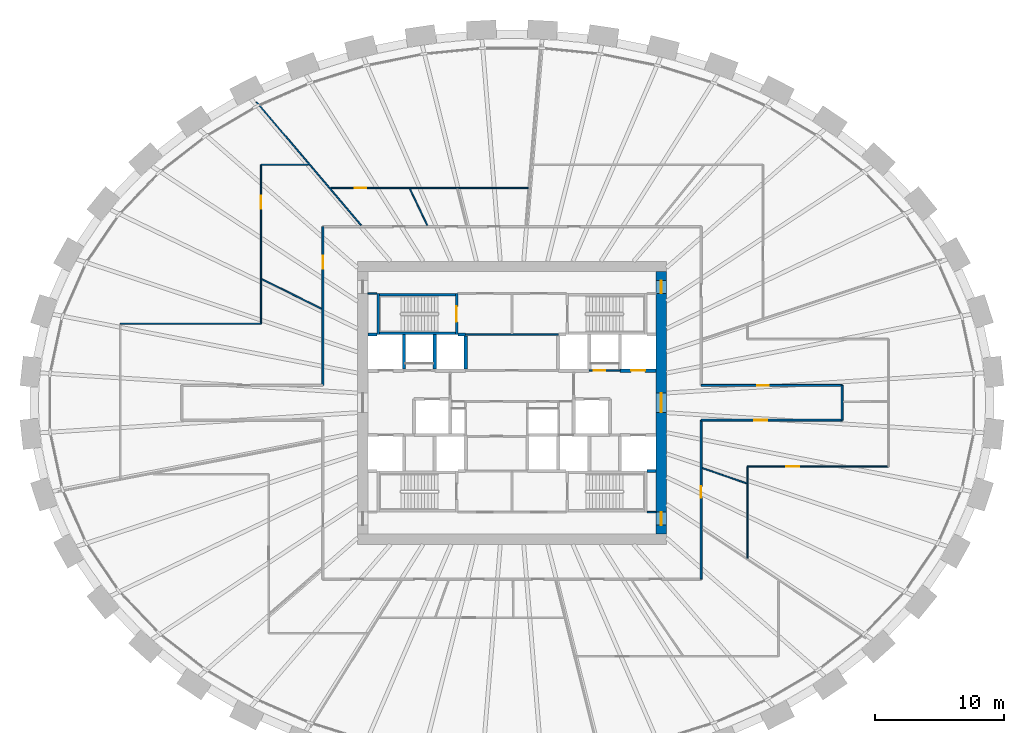
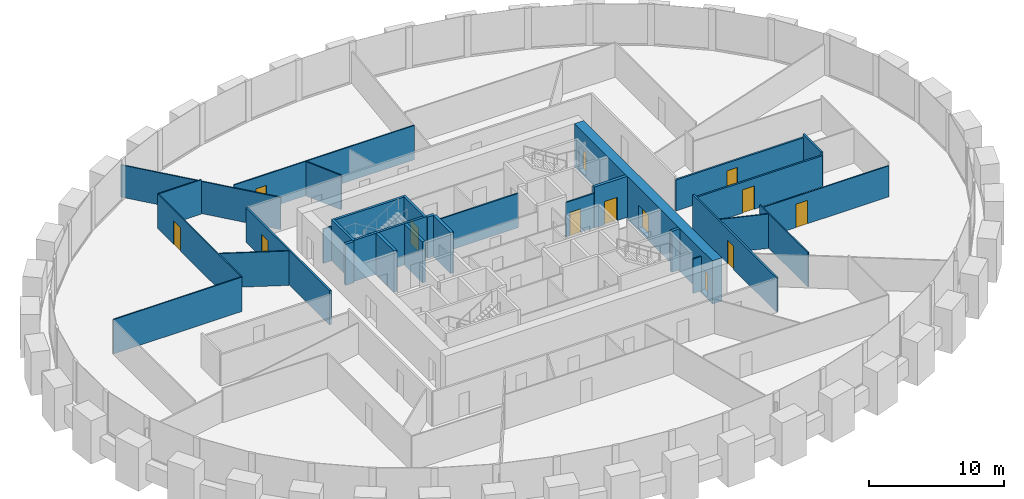
# One storey, part 8 of 10: 31 walls, 13 doors, 13 openings.
"""IFC4 building model written with IfcOpenShell, lengths in metres."""

from ifc_helpers import new_model, si_unit, direction, frame, frame_2d, origin, place, context, subcontext, project, spatial, rectangle, extrude, source, transform, mapped, material, layer, layer_set, type_object, element, fill, save


model = new_model("IFC4")

# Units and contexts
model_context = context("Model", 3, precision=1e-05, world=origin(), true_north=direction((0.0, 1.0)))
body_context = subcontext(model_context, "Body", "Model", "MODEL_VIEW")
ifc_project = project(units=[si_unit("LENGTHUNIT", "METRE"), si_unit("AREAUNIT", "SQUARE_METRE"), si_unit("VOLUMEUNIT", "CUBIC_METRE"), si_unit("PLANEANGLEUNIT", "RADIAN"), si_unit("MASSUNIT", "GRAM", prefix="KILO")], contexts=[model_context])

# Site, building, storey
site_placement = place(None, origin())
site = spatial("IfcSite", under=ifc_project, at=site_placement, CompositionType="ELEMENT")
building_placement = place(site_placement, origin())
building = spatial("IfcBuilding", under=site, at=building_placement, Name="Embergate Tower", CompositionType="ELEMENT")
storey_placement = place(building_placement, frame((0.0, 0.0, 171.60009765625)))
storey = spatial("IfcBuildingStorey", under=building, at=storey_placement, Name="L38", CompositionType="ELEMENT", Elevation=171.60009765625)

# Wall, openings, doors
ifc_material_1 = material(Name="Concrete C70", Category="concrete")
ifc_layer_1 = layer(ifc_material_1, 0.800048828125)
ifc_layer_set_1 = layer_set([ifc_layer_1], Name="Concrete C70")
wall_type_1 = type_object("IfcWallType", Name="Core outer wall C70 800", PredefinedType="SHEAR", material=ifc_layer_set_1)
shared_shape_1 = source(origin(), body_context, "Body", "SweptSolid", [
    extrude(rectangle(XDim=20.39990234375, YDim=0.800048828125, at=frame_2d((10.199951171875, 0.0))), origin(), (0.0, 0.0, 1.0), 3.900146484375),
])
wall_1_placement = place(storey_placement, frame((11.60009765625, -10.199951171875, -0.2001953125), z_axis=(0.0, 0.0, 1.0), x_axis=(0.0, 1.0, 0.0)))
wall_1 = element("IfcWall", 1, at=wall_1_placement, inside=storey, type_object=wall_type_1, Name="CW-L38-E", PredefinedType="SHEAR", context=body_context, shape_type="MappedRepresentation", body=[
    mapped(shared_shape_1, transform((0.0, 0.0, 0.0))),
])
shared_shape_2 = source(origin(), body_context, "Body", "SweptSolid", [
    extrude(rectangle(XDim=1.0, YDim=2.10009765625, at=frame_2d((0.5, 1.050048828125))), frame((0.0, 0.409912109375, 0.0), z_axis=(0.0, -1.0, 0.0), x_axis=(1.0, 0.0, 0.0)), (0.0, 0.0, 1.0), 0.820068359375),
])
opening_1_placement = place(wall_1_placement, frame((18.699951171875, 0.0, 0.199951171875)))
opening_1 = element("IfcOpeningElement", 2, at=opening_1_placement, cuts=wall_1, Name="Opening IF-1d", PredefinedType="OPENING", context=body_context, shape_type="MappedRepresentation", body=[
    mapped(shared_shape_2, transform((0.0, 0.0, 0.0))),
])
opening_2_placement = place(wall_1_placement, frame((0.699951171875, 0.0, 0.199951171875)))
opening_2 = element("IfcOpeningElement", 3, at=opening_2_placement, cuts=wall_1, Name="Opening IF-1d", PredefinedType="OPENING", context=body_context, shape_type="MappedRepresentation", body=[
    mapped(shared_shape_2, transform((0.0, 0.0, 0.0))),
])
shared_shape_3 = source(origin(), body_context, "Body", "SweptSolid", [
    extrude(rectangle(XDim=1.5, YDim=2.10009765625, at=frame_2d((0.75, 1.050048828125))), frame((0.0, 0.409912109375, 0.0), z_axis=(0.0, -1.0, 0.0), x_axis=(1.0, 0.0, 0.0)), (0.0, 0.0, 1.0), 0.820068359375),
])
opening_3_placement = place(wall_1_placement, frame((9.449951171875, 0.0, 0.199951171875)))
opening_3 = element("IfcOpeningElement", 4, at=opening_3_placement, cuts=wall_1, Name="Opening IF-3", PredefinedType="OPENING", context=body_context, shape_type="MappedRepresentation", body=[
    mapped(shared_shape_3, transform((0.0, 0.0, 0.0))),
])
ifc_material_2 = material(Name="Lobby fire door pair 1500")
door_type_1 = type_object("IfcDoorType", Name="Lobby fire door pair 1500", OperationType="DOUBLE_DOOR_SINGLE_SWING", PredefinedType="DOOR", material=ifc_material_2)
shared_shape_4 = source(origin(), body_context, "Body", "SweptSolid", [
    extrude(rectangle(XDim=1.5, YDim=2.10009765625, at=frame_2d((0.75, 1.050048828125))), frame((0.0, 0.02490234375, 0.0), z_axis=(0.0, -1.0, 0.0), x_axis=(1.0, 0.0, 0.0)), (0.0, 0.0, 1.0), 0.050048828125),
])
door_1_placement = place(opening_3_placement, origin())
door_1 = element("IfcDoor", 5, at=door_1_placement, inside=storey, type_object=door_type_1, Name="IF-3 door", OperationType="DOUBLE_DOOR_SINGLE_SWING", OverallHeight=2.10009765625, OverallWidth=1.5, PredefinedType="DOOR", context=body_context, shape_type="MappedRepresentation", body=[
    mapped(shared_shape_4, transform((0.0, 0.0, 0.0))),
])
fill(opening_3, door_1)
ifc_material_3 = material(Name="Escape fire door 1000")
door_type_2 = type_object("IfcDoorType", Name="Escape fire door 1000", OperationType="SINGLE_SWING_LEFT", PredefinedType="DOOR", material=ifc_material_3)
shared_shape_5 = source(origin(), body_context, "Body", "SweptSolid", [
    extrude(rectangle(XDim=1.0, YDim=2.10009765625, at=frame_2d((0.5, 1.050048828125))), frame((0.0, 0.02490234375, 0.0), z_axis=(0.0, -1.0, 0.0), x_axis=(1.0, 0.0, 0.0)), (0.0, 0.0, 1.0), 0.050048828125),
])
door_2_placement = place(opening_1_placement, origin())
door_2 = element("IfcDoor", 6, at=door_2_placement, inside=storey, type_object=door_type_2, Name="IF-1 door", OperationType="SINGLE_SWING_RIGHT", OverallHeight=2.10009765625, OverallWidth=1.0, PredefinedType="DOOR", context=body_context, shape_type="MappedRepresentation", body=[
    mapped(shared_shape_5, transform((0.0, 0.0, 0.0))),
])
fill(opening_1, door_2)
door_3_placement = place(opening_2_placement, origin())
door_3 = element("IfcDoor", 7, at=door_3_placement, inside=storey, type_object=door_type_2, Name="IF-1 door", OperationType="SINGLE_SWING_RIGHT", OverallHeight=2.10009765625, OverallWidth=1.0, PredefinedType="DOOR", context=body_context, shape_type="MappedRepresentation", body=[
    mapped(shared_shape_5, transform((0.0, 0.0, 0.0))),
])
fill(opening_2, door_3)

# Walls
ifc_material_4 = material(Name="Concrete C50", Category="concrete")
ifc_layer_2 = layer(ifc_material_4, 0.25)
ifc_layer_set_2 = layer_set([ifc_layer_2], Name="Concrete C50")
wall_type_2 = type_object("IfcWallType", Name="Hoistway wall reinforced concrete 250", PredefinedType="SHEAR", material=ifc_layer_set_2)
shared_shape_6 = source(origin(), body_context, "Body", "SweptSolid", [
    extrude(rectangle(XDim=2.675048828125, YDim=0.25, at=frame_2d((1.33740234375, 0.0))), origin(), (0.0, 0.0, 1.0), 3.699951171875),
])
for number, where, z_axis, x_axis, name in (
    (8, (-8.39990234375, 2.625, 0.0), (0.0, 0.0, 1.0), (0.0, 1.0, 0.0), "HW-1 wall"),
    (9, (-6.0, 2.625, 0.0), (0.0, 0.0, 1.0), (0.0, 1.0, 0.0), "HW-1 wall"),
):
    element("IfcWall", number, at=place(storey_placement, frame(where, z_axis=z_axis, x_axis=x_axis)), inside=storey, type_object=wall_type_2, Name=name, PredefinedType="SHEAR", context=body_context, shape_type="MappedRepresentation", body=[
        mapped(shared_shape_6, transform((0.0, 0.0, 0.0))),
    ])
ifc_layer_3 = layer(ifc_material_4, 0.199951171875)
ifc_layer_set_3 = layer_set([ifc_layer_3], Name="Concrete C50")
wall_type_3 = type_object("IfcWallType", Name="Stair enclosure wall reinforced concrete 250", PredefinedType="SHEAR", material=ifc_layer_set_3)
shared_shape_7 = source(origin(), body_context, "Body", "SweptSolid", [
    extrude(rectangle(XDim=6.300048828125, YDim=0.199951171875, at=frame_2d((3.14990234375, 0.0))), origin(), (0.0, 0.0, 1.0), 3.699951171875),
])
for number, where, z_axis, x_axis, name in (
    (10, (-4.199951171875, 5.39990234375, 0.0), (0.0, 0.0, 1.0), (-1.0, 0.0, 0.0), "SE-1 wall"),
    (11, (-4.199951171875, 8.39990234375, 0.0), (0.0, 0.0, 1.0), (-1.0, 0.0, 0.0), "SE-1 wall"),
):
    element("IfcWall", number, at=place(storey_placement, frame(where, z_axis=z_axis, x_axis=x_axis)), inside=storey, type_object=wall_type_3, Name=name, PredefinedType="SHEAR", context=body_context, shape_type="MappedRepresentation", body=[
        mapped(shared_shape_7, transform((0.0, 0.0, 0.0))),
    ])
shared_shape_8 = source(origin(), body_context, "Body", "SweptSolid", [
    extrude(rectangle(XDim=2.550048828125, YDim=0.25, at=frame_2d((1.27490234375, 0.0))), origin(), (0.0, 0.0, 1.0), 3.699951171875),
])
wall_2_placement = place(storey_placement, frame((-3.60009765625, 2.625, 0.0), z_axis=(0.0, 0.0, 1.0), x_axis=(0.0, 1.0, 0.0)))
element("IfcWall", 12, at=wall_2_placement, inside=storey, type_object=wall_type_2, Name="HW-1 wall", PredefinedType="SHEAR", context=body_context, shape_type="MappedRepresentation", body=[
    mapped(shared_shape_8, transform((0.0, 0.0, 0.0))),
])

# Wall, opening, door
shared_shape_9 = source(origin(), body_context, "Body", "SweptSolid", [
    extrude(rectangle(XDim=3.199951171875, YDim=0.199951171875, at=frame_2d((1.60009765625, 0.0))), origin(), (0.0, 0.0, 1.0), 3.699951171875),
])
wall_3_placement = place(storey_placement, frame((-4.300048828125, 5.300048828125, 0.0), z_axis=(0.0, 0.0, 1.0), x_axis=(0.0, 1.0, 0.0)))
wall_3 = element("IfcWall", 13, at=wall_3_placement, inside=storey, type_object=wall_type_3, Name="SE-1 wall", PredefinedType="SHEAR", context=body_context, shape_type="MappedRepresentation", body=[
    mapped(shared_shape_9, transform((0.0, 0.0, 0.0))),
])
shared_shape_10 = source(origin(), body_context, "Body", "SweptSolid", [
    extrude(rectangle(XDim=1.199951171875, YDim=2.10009765625, at=frame_2d((0.60009765625, 1.050048828125))), frame((0.0, 0.10986328125, 0.0), z_axis=(0.0, -1.0, 0.0), x_axis=(1.0, 0.0, 0.0)), (0.0, 0.0, 1.0), 0.219970703125),
])
opening_4_placement = place(wall_3_placement, frame((1.0, 0.0, 0.0)))
opening_4 = element("IfcOpeningElement", 14, at=opening_4_placement, cuts=wall_3, Name="Opening IF-2", PredefinedType="OPENING", context=body_context, shape_type="MappedRepresentation", body=[
    mapped(shared_shape_10, transform((0.0, 0.0, 0.0))),
])
ifc_material_5 = material(Name="Stair enclosure door 1200")
door_type_3 = type_object("IfcDoorType", Name="Stair enclosure door 1200", OperationType="SINGLE_SWING_LEFT", PredefinedType="DOOR", material=ifc_material_5)
shared_shape_11 = source(origin(), body_context, "Body", "SweptSolid", [
    extrude(rectangle(XDim=1.199951171875, YDim=2.10009765625, at=frame_2d((0.60009765625, 1.050048828125))), frame((0.0, 0.02490234375, 0.0), z_axis=(0.0, -1.0, 0.0), x_axis=(1.0, 0.0, 0.0)), (0.0, 0.0, 1.0), 0.050048828125),
])
door_4_placement = place(opening_4_placement, origin())
door_4 = element("IfcDoor", 15, at=door_4_placement, inside=storey, type_object=door_type_3, Name="IF-2 door", OperationType="SINGLE_SWING_LEFT", OverallHeight=2.10009765625, OverallWidth=1.199951171875, PredefinedType="DOOR", context=body_context, shape_type="MappedRepresentation", body=[
    mapped(shared_shape_11, transform((0.0, 0.0, 0.0))),
])
fill(opening_4, door_4)

shared_shape_12 = source(origin(), body_context, "Body", "SweptSolid", [
    extrude(rectangle(XDim=2.800048828125, YDim=0.25, at=frame_2d((1.39990234375, 0.0))), origin(), (0.0, 0.0, 1.0), 3.699951171875),
])
wall_4_placement = place(storey_placement, frame((8.39990234375, 2.5, 0.0), z_axis=(0.0, 0.0, 1.0), x_axis=(1.0, 0.0, 0.0)))
wall_4 = element("IfcWall", 16, at=wall_4_placement, inside=storey, type_object=wall_type_2, Name="HW-1 wall", PredefinedType="SHEAR", context=body_context, shape_type="MappedRepresentation", body=[
    mapped(shared_shape_12, transform((0.0, 0.0, 0.0))),
])
shared_shape_13 = source(origin(), body_context, "Body", "SweptSolid", [
    extrude(rectangle(XDim=1.10009765625, YDim=2.10009765625, at=frame_2d((0.550048828125, 1.050048828125))), frame((0.0, 0.135009765625, 0.0), z_axis=(0.0, -1.0, 0.0), x_axis=(1.0, 0.0, 0.0)), (0.0, 0.0, 1.0), 0.27001953125),
])
opening_5_placement = place(wall_4_placement, frame((0.85009765625, 0.0, 0.0)))
opening_5 = element("IfcOpeningElement", 17, at=opening_5_placement, cuts=wall_4, Name="Opening LD", PredefinedType="OPENING", context=body_context, shape_type="MappedRepresentation", body=[
    mapped(shared_shape_13, transform((0.0, 0.0, 0.0))),
])
ifc_material_6 = material(Name="Landing door sliding 1100")
door_type_4 = type_object("IfcDoorType", Name="Landing door sliding 1100", OperationType="SLIDING_TO_LEFT", PredefinedType="DOOR", material=ifc_material_6)
shared_shape_14 = source(origin(), body_context, "Body", "SweptSolid", [
    extrude(rectangle(XDim=1.10009765625, YDim=2.10009765625, at=frame_2d((0.550048828125, 1.050048828125))), frame((0.0, 0.02490234375, 0.0), z_axis=(0.0, -1.0, 0.0), x_axis=(1.0, 0.0, 0.0)), (0.0, 0.0, 1.0), 0.050048828125),
])
door_5_placement = place(opening_5_placement, origin())
door_5 = element("IfcDoor", 18, at=door_5_placement, inside=storey, type_object=door_type_4, Name="LD door", OperationType="SLIDING_TO_LEFT", OverallHeight=2.10009765625, OverallWidth=1.10009765625, PredefinedType="DOOR", context=body_context, shape_type="MappedRepresentation", body=[
    mapped(shared_shape_14, transform((0.0, 0.0, 0.0))),
])
fill(opening_5, door_5)

# Walls
shared_shape_15 = source(origin(), body_context, "Body", "SweptSolid", [
    extrude(rectangle(XDim=0.599853515625, YDim=0.25, at=frame_2d((0.2998046875, 0.0))), origin(), (0.0, 0.0, 1.0), 3.699951171875),
])
wall_5_placement = place(storey_placement, frame((-3.60009765625, 5.300048828125, 0.0), z_axis=(0.0, 0.0, 1.0), x_axis=(-1.0, 0.0, 0.0)))
element("IfcWall", 19, at=wall_5_placement, inside=storey, type_object=wall_type_2, Name="HW-1 wall", PredefinedType="SHEAR", context=body_context, shape_type="MappedRepresentation", body=[
    mapped(shared_shape_15, transform((0.0, 0.0, 0.0))),
])
shared_shape_16 = source(origin(), body_context, "Body", "SweptSolid", [
    extrude(rectangle(XDim=3.196044921875, YDim=0.199951171875, at=frame_2d((1.59814453125, 0.0))), origin(), (0.0, 0.0, 1.0), 3.699951171875),
])
wall_6_placement = place(storey_placement, frame((-10.39990234375, 8.498046875, 0.0), z_axis=(0.0, 0.0, 1.0), x_axis=(0.0, -1.0, 0.0)))
element("IfcWall", 20, at=wall_6_placement, inside=storey, type_object=wall_type_3, Name="SE-1 wall", PredefinedType="SHEAR", context=body_context, shape_type="MappedRepresentation", body=[
    mapped(shared_shape_16, transform((0.0, 0.0, 0.0))),
])
shared_shape_17 = source(origin(), body_context, "Body", "SweptSolid", [
    extrude(rectangle(XDim=0.697998046875, YDim=0.25, at=frame_2d((0.34912109375, 0.0))), origin(), (0.0, 0.0, 1.0), 3.699951171875),
])
for number, where, z_axis, x_axis, name in (
    (21, (-10.501953125, 5.300048828125, 0.0), (0.0, 0.0, 1.0), (-1.0, 0.0, 0.0), "HW-1 wall"),
    (22, (10.501953125, -5.300048828125, 0.0), (0.0, 0.0, 1.0), (1.0, 0.0, 0.0), "HW-1 wall"),
):
    element("IfcWall", number, at=place(storey_placement, frame(where, z_axis=z_axis, x_axis=x_axis)), inside=storey, type_object=wall_type_2, Name=name, PredefinedType="SHEAR", context=body_context, shape_type="MappedRepresentation", body=[
        mapped(shared_shape_17, transform((0.0, 0.0, 0.0))),
    ])

# Wall, opening, door
ifc_material_7 = material(Name="Core partition blockwork 120")
ifc_layer_4 = layer(ifc_material_7, 0.1201171875)
ifc_layer_set_4 = layer_set([ifc_layer_4], Name="Core partition blockwork 120")
wall_type_4 = type_object("IfcWallType", Name="Core partition blockwork 120", PredefinedType="PARTITIONING", material=ifc_layer_set_4)
shared_shape_18 = source(origin(), body_context, "Body", "SweptSolid", [
    extrude(rectangle(XDim=2.39990234375, YDim=0.1201171875, at=frame_2d((1.199951171875, 0.0))), origin(), (0.0, 0.0, 1.0), 3.099853515625),
])
wall_7_placement = place(storey_placement, frame((6.0, 2.5, 0.0), z_axis=(0.0, 0.0, 1.0), x_axis=(1.0, 0.0, 0.0)))
wall_7 = element("IfcWall", 23, at=wall_7_placement, inside=storey, type_object=wall_type_4, Name="IP-3 wall", PredefinedType="PARTITIONING", context=body_context, shape_type="MappedRepresentation", body=[
    mapped(shared_shape_18, transform((0.0, 0.0, 0.0))),
])
shared_shape_19 = source(origin(), body_context, "Body", "SweptSolid", [
    extrude(rectangle(XDim=0.89990234375, YDim=2.10009765625, at=frame_2d((0.449951171875, 1.050048828125))), frame((0.0, 0.070068359375, 0.0), z_axis=(0.0, -1.0, 0.0), x_axis=(1.0, 0.0, 0.0)), (0.0, 0.0, 1.0), 0.14013671875),
])
opening_6_placement = place(wall_7_placement, frame((0.35009765625, 0.0, 0.0)))
opening_6 = element("IfcOpeningElement", 24, at=opening_6_placement, cuts=wall_7, Name="Opening ID-1", PredefinedType="OPENING", context=body_context, shape_type="MappedRepresentation", body=[
    mapped(shared_shape_19, transform((0.0, 0.0, 0.0))),
])
ifc_material_8 = material(Name="Interior door 900")
door_type_5 = type_object("IfcDoorType", Name="Interior door 900", OperationType="SINGLE_SWING_LEFT", PredefinedType="DOOR", material=ifc_material_8)
shared_shape_20 = source(origin(), body_context, "Body", "SweptSolid", [
    extrude(rectangle(XDim=0.89990234375, YDim=2.10009765625, at=frame_2d((0.449951171875, 1.050048828125))), frame((0.0, 0.02490234375, 0.0), z_axis=(0.0, -1.0, 0.0), x_axis=(1.0, 0.0, 0.0)), (0.0, 0.0, 1.0), 0.050048828125),
])
door_6_placement = place(opening_6_placement, origin())
door_6 = element("IfcDoor", 25, at=door_6_placement, inside=storey, type_object=door_type_5, Name="ID-1 door", OperationType="SINGLE_SWING_RIGHT", OverallHeight=2.10009765625, OverallWidth=0.89990234375, PredefinedType="DOOR", context=body_context, shape_type="MappedRepresentation", body=[
    mapped(shared_shape_20, transform((0.0, 0.0, 0.0))),
])
fill(opening_6, door_6)

# Walls
shared_shape_21 = source(origin(), body_context, "Body", "SweptSolid", [
    extrude(rectangle(XDim=7.2001953125, YDim=0.1201171875, at=frame_2d((3.60009765625, 0.0))), origin(), (0.0, 0.0, 1.0), 3.099853515625),
])
wall_8_placement = place(storey_placement, frame((-3.60009765625, 5.300048828125, 0.0), z_axis=(0.0, 0.0, 1.0), x_axis=(1.0, 0.0, 0.0)))
element("IfcWall", 26, at=wall_8_placement, inside=storey, type_object=wall_type_4, Name="IP-3 wall", PredefinedType="PARTITIONING", context=body_context, shape_type="MappedRepresentation", body=[
    mapped(shared_shape_21, transform((0.0, 0.0, 0.0))),
])
shared_shape_22 = source(origin(), body_context, "Body", "SweptSolid", [
    extrude(rectangle(XDim=0.697998046875, YDim=0.1201171875, at=frame_2d((0.34912109375, 0.0))), origin(), (0.0, 0.0, 1.0), 3.099853515625),
])
for number, where, z_axis, x_axis, name in (
    (27, (-11.199951171875, 8.5, 0.0), (0.0, 0.0, 1.0), (1.0, 0.0, 0.0), "IP-3 wall"),
    (28, (11.199951171875, -8.5, 0.0), (0.0, 0.0, 1.0), (-1.0, 0.0, 0.0), "IP-3 wall"),
):
    element("IfcWall", number, at=place(storey_placement, frame(where, z_axis=z_axis, x_axis=x_axis)), inside=storey, type_object=wall_type_4, Name=name, PredefinedType="PARTITIONING", context=body_context, shape_type="MappedRepresentation", body=[
        mapped(shared_shape_22, transform((0.0, 0.0, 0.0))),
    ])

# Wall, opening, door
ifc_material_9 = material(Name="Corridor wall dry-lined 150")
ifc_layer_5 = layer(ifc_material_9, 0.14990234375)
ifc_layer_set_5 = layer_set([ifc_layer_5], Name="Corridor wall dry-lined 150")
wall_type_5 = type_object("IfcWallType", Name="Corridor wall dry-lined 150", PredefinedType="PARTITIONING", material=ifc_layer_set_5)
shared_shape_23 = source(origin(), body_context, "Body", "SweptSolid", [
    extrude(rectangle(XDim=10.949951171875, YDim=0.14990234375, at=frame_2d((5.47509765625, 0.0))), origin(), (0.0, 0.0, 1.0), 2.7998046875),
])
wall_9_placement = place(storey_placement, frame((25.64990234375, -1.35009765625, 0.0), z_axis=(0.0, 0.0, 1.0), x_axis=(-1.0, 0.0, 0.0)))
wall_9 = element("IfcWall", 29, at=wall_9_placement, inside=storey, type_object=wall_type_5, Name="IP-2 wall", PredefinedType="PARTITIONING", context=body_context, shape_type="MappedRepresentation", body=[
    mapped(shared_shape_23, transform((0.0, 0.0, 0.0))),
])
shared_shape_24 = source(origin(), body_context, "Body", "SweptSolid", [
    extrude(rectangle(XDim=1.0, YDim=2.10009765625, at=frame_2d((0.5, 1.050048828125))), frame((0.0, 0.0849609375, 0.0), z_axis=(0.0, -1.0, 0.0), x_axis=(1.0, 0.0, 0.0)), (0.0, 0.0, 1.0), 0.169921875),
])
opening_7_placement = place(wall_9_placement, frame((5.81591796875, 0.0, 0.0)))
opening_7 = element("IfcOpeningElement", 30, at=opening_7_placement, cuts=wall_9, Name="Opening ID-2", PredefinedType="OPENING", context=body_context, shape_type="MappedRepresentation", body=[
    mapped(shared_shape_24, transform((0.0, 0.0, 0.0))),
])
ifc_material_10 = material(Name="Interior door 1000")
door_type_6 = type_object("IfcDoorType", Name="Interior door 1000", OperationType="SINGLE_SWING_LEFT", PredefinedType="DOOR", material=ifc_material_10)
door_7_placement = place(opening_7_placement, origin())
door_7 = element("IfcDoor", 31, at=door_7_placement, inside=storey, type_object=door_type_6, Name="ID-2 door", OperationType="SINGLE_SWING_LEFT", OverallHeight=2.10009765625, OverallWidth=1.0, PredefinedType="DOOR", context=body_context, shape_type="MappedRepresentation", body=[
    mapped(shared_shape_5, transform((0.0, 0.0, 0.0))),
])
fill(opening_7, door_7)

wall_10_placement = place(storey_placement, frame((14.699951171875, 1.35009765625, 0.0), z_axis=(0.0, 0.0, 1.0), x_axis=(1.0, 0.0, 0.0)))
wall_10 = element("IfcWall", 32, at=wall_10_placement, inside=storey, type_object=wall_type_5, Name="IP-2 wall", PredefinedType="PARTITIONING", context=body_context, shape_type="MappedRepresentation", body=[
    mapped(shared_shape_23, transform((0.0, 0.0, 0.0))),
])
shared_shape_25 = source(origin(), body_context, "Body", "SweptSolid", [
    extrude(rectangle(XDim=0.89990234375, YDim=2.10009765625, at=frame_2d((0.449951171875, 1.050048828125))), frame((0.0, 0.0849609375, 0.0), z_axis=(0.0, -1.0, 0.0), x_axis=(1.0, 0.0, 0.0)), (0.0, 0.0, 1.0), 0.169921875),
])
opening_8_placement = place(wall_10_placement, frame((4.364013671875, 0.0, 0.0)))
opening_8 = element("IfcOpeningElement", 33, at=opening_8_placement, cuts=wall_10, Name="Opening IF-1c", PredefinedType="OPENING", context=body_context, shape_type="MappedRepresentation", body=[
    mapped(shared_shape_25, transform((0.0, 0.0, 0.0))),
])
ifc_material_11 = material(Name="Escape fire door 900")
door_type_7 = type_object("IfcDoorType", Name="Escape fire door 900", OperationType="SINGLE_SWING_LEFT", PredefinedType="DOOR", material=ifc_material_11)
door_8_placement = place(opening_8_placement, origin())
door_8 = element("IfcDoor", 34, at=door_8_placement, inside=storey, type_object=door_type_7, Name="IF-1 door", OperationType="SINGLE_SWING_LEFT", OverallHeight=2.10009765625, OverallWidth=0.89990234375, PredefinedType="DOOR", context=body_context, shape_type="MappedRepresentation", body=[
    mapped(shared_shape_20, transform((0.0, 0.0, 0.0))),
])
fill(opening_8, door_8)

ifc_material_12 = material(Name="Partition dry-lined 100")
ifc_layer_6 = layer(ifc_material_12, 0.10009765625)
ifc_layer_set_6 = layer_set([ifc_layer_6], Name="Partition dry-lined 100")
wall_type_6 = type_object("IfcWallType", Name="Partition dry-lined 100", PredefinedType="PARTITIONING", material=ifc_layer_set_6)
shared_shape_26 = source(origin(), body_context, "Body", "SweptSolid", [
    extrude(rectangle(XDim=10.949951171875, YDim=0.10009765625, at=frame_2d((5.47509765625, 0.0))), origin(), (0.0, 0.0, 1.0), 2.7998046875),
])
wall_11_placement = place(storey_placement, frame((29.25, -4.949951171875, 0.0), z_axis=(0.0, 0.0, 1.0), x_axis=(-1.0, 0.0, 0.0)))
wall_11 = element("IfcWall", 35, at=wall_11_placement, inside=storey, type_object=wall_type_6, Name="IP-1 wall", PredefinedType="PARTITIONING", context=body_context, shape_type="MappedRepresentation", body=[
    mapped(shared_shape_26, transform((0.0, 0.0, 0.0))),
])
shared_shape_27 = source(origin(), body_context, "Body", "SweptSolid", [
    extrude(rectangle(XDim=1.0, YDim=2.10009765625, at=frame_2d((0.5, 1.050048828125))), frame((0.0, 0.06005859375, 0.0), z_axis=(0.0, -1.0, 0.0), x_axis=(1.0, 0.0, 0.0)), (0.0, 0.0, 1.0), 0.1201171875),
])
opening_9_placement = place(wall_11_placement, frame((6.93798828125, 0.0, 0.0)))
opening_9 = element("IfcOpeningElement", 36, at=opening_9_placement, cuts=wall_11, Name="Opening ID-2", PredefinedType="OPENING", context=body_context, shape_type="MappedRepresentation", body=[
    mapped(shared_shape_27, transform((0.0, 0.0, 0.0))),
])
door_9_placement = place(opening_9_placement, origin())
door_9 = element("IfcDoor", 37, at=door_9_placement, inside=storey, type_object=door_type_6, Name="ID-2 door", OperationType="SINGLE_SWING_RIGHT", OverallHeight=2.10009765625, OverallWidth=1.0, PredefinedType="DOOR", context=body_context, shape_type="MappedRepresentation", body=[
    mapped(shared_shape_5, transform((0.0, 0.0, 0.0))),
])
fill(opening_9, door_9)

# Wall
shared_shape_28 = source(origin(), body_context, "Body", "SweptSolid", [
    extrude(rectangle(XDim=10.949951171875, YDim=0.10009765625, at=frame_2d((5.47509765625, 0.0))), origin(), (0.0, 0.0, 1.0), 3.099853515625),
])
wall_12_placement = place(storey_placement, frame((-19.5, 6.14990234375, 0.0), z_axis=(0.0, 0.0, 1.0), x_axis=(-1.0, 0.0, 0.0)))
element("IfcWall", 38, at=wall_12_placement, inside=storey, type_object=wall_type_6, Name="IP-1 wall", PredefinedType="PARTITIONING", context=body_context, shape_type="MappedRepresentation", body=[
    mapped(shared_shape_28, transform((0.0, 0.0, 0.0))),
])

# Wall, opening, door
shared_shape_29 = source(origin(), body_context, "Body", "SweptSolid", [
    extrude(rectangle(XDim=12.349853515625, YDim=0.14990234375, at=frame_2d((6.1748046875, 0.0))), origin(), (0.0, 0.0, 1.0), 3.099853515625),
])
wall_13_placement = place(storey_placement, frame((14.699951171875, -1.35009765625, 0.0), z_axis=(0.0, 0.0, 1.0), x_axis=(0.0, -1.0, 0.0)))
wall_13 = element("IfcWall", 39, at=wall_13_placement, inside=storey, type_object=wall_type_5, Name="IP-2 wall", PredefinedType="PARTITIONING", context=body_context, shape_type="MappedRepresentation", body=[
    mapped(shared_shape_29, transform((0.0, 0.0, 0.0))),
])
opening_10_placement = place(wall_13_placement, frame((5.1220703125, 0.0, 0.0)))
opening_10 = element("IfcOpeningElement", 40, at=opening_10_placement, cuts=wall_13, Name="Opening IF-1c", PredefinedType="OPENING", context=body_context, shape_type="MappedRepresentation", body=[
    mapped(shared_shape_25, transform((0.0, 0.0, 0.0))),
])
door_10_placement = place(opening_10_placement, origin())
door_10 = element("IfcDoor", 41, at=door_10_placement, inside=storey, type_object=door_type_7, Name="IF-1 door", OperationType="SINGLE_SWING_LEFT", OverallHeight=2.10009765625, OverallWidth=0.89990234375, PredefinedType="DOOR", context=body_context, shape_type="MappedRepresentation", body=[
    mapped(shared_shape_20, transform((0.0, 0.0, 0.0))),
])
fill(opening_10, door_10)

wall_14_placement = place(storey_placement, frame((-14.699951171875, 1.35009765625, 0.0), z_axis=(0.0, 0.0, 1.0), x_axis=(0.0, 1.0, 0.0)))
wall_14 = element("IfcWall", 42, at=wall_14_placement, inside=storey, type_object=wall_type_5, Name="IP-2 wall", PredefinedType="PARTITIONING", context=body_context, shape_type="MappedRepresentation", body=[
    mapped(shared_shape_29, transform((0.0, 0.0, 0.0))),
])
opening_11_placement = place(wall_14_placement, frame((9.068115234375, 0.0, 0.0)))
opening_11 = element("IfcOpeningElement", 43, at=opening_11_placement, cuts=wall_14, Name="Opening ID-2", PredefinedType="OPENING", context=body_context, shape_type="MappedRepresentation", body=[
    mapped(shared_shape_24, transform((0.0, 0.0, 0.0))),
])
door_11_placement = place(opening_11_placement, origin())
door_11 = element("IfcDoor", 44, at=door_11_placement, inside=storey, type_object=door_type_6, Name="ID-2 door", OperationType="SINGLE_SWING_RIGHT", OverallHeight=2.10009765625, OverallWidth=1.0, PredefinedType="DOOR", context=body_context, shape_type="MappedRepresentation", body=[
    mapped(shared_shape_5, transform((0.0, 0.0, 0.0))),
])
fill(opening_11, door_11)

# Walls
shared_shape_30 = source(origin(), body_context, "Body", "SweptSolid", [
    extrude(rectangle(XDim=2.7001953125, YDim=0.14990234375, at=frame_2d((1.35009765625, 0.0))), origin(), (0.0, 0.0, 1.0), 3.099853515625),
])
wall_15_placement = place(storey_placement, frame((25.64990234375, 1.35009765625, 0.0), z_axis=(0.0, 0.0, 1.0), x_axis=(0.0, -1.0, 0.0)))
element("IfcWall", 45, at=wall_15_placement, inside=storey, type_object=wall_type_5, Name="IP-2 wall", PredefinedType="PARTITIONING", context=body_context, shape_type="MappedRepresentation", body=[
    mapped(shared_shape_30, transform((0.0, 0.0, 0.0))),
])
shared_shape_31 = source(origin(), body_context, "Body", "SweptSolid", [
    extrude(rectangle(XDim=3.6396484375, YDim=0.10009765625, at=frame_2d((1.81982421875, 0.0))), origin(), (0.0, 0.0, 1.0), 3.099853515625),
])
wall_16_placement = place(storey_placement, frame((18.23388671875, -6.2529296875, 0.0), z_axis=(0.0, 0.0, 1.0), x_axis=(-0.945904193291, 0.324446077361, 0.0)))
element("IfcWall", 46, at=wall_16_placement, inside=storey, type_object=wall_type_6, Name="IP-1 wall", PredefinedType="PARTITIONING", context=body_context, shape_type="MappedRepresentation", body=[
    mapped(shared_shape_31, transform((0.0, 0.0, 0.0))),
])
shared_shape_32 = source(origin(), body_context, "Body", "SweptSolid", [
    extrude(rectangle(XDim=7.1220703125, YDim=0.10009765625, at=frame_2d((3.56103515625, 0.0))), origin(), (0.0, 0.0, 1.0), 3.099853515625),
])
wall_17_placement = place(storey_placement, frame((18.300048828125, -4.949951171875, 0.0), z_axis=(0.0, 0.0, 1.0), x_axis=(0.0, -1.0, 0.0)))
element("IfcWall", 47, at=wall_17_placement, inside=storey, type_object=wall_type_6, Name="IP-1 wall", PredefinedType="PARTITIONING", context=body_context, shape_type="MappedRepresentation", body=[
    mapped(shared_shape_32, transform((0.0, 0.0, 0.0))),
])

# Wall, opening, door
ifc_material_13 = material(Name="Partition dry-lined 100 wet")
ifc_layer_7 = layer(ifc_material_13, 0.10009765625)
ifc_layer_set_7 = layer_set([ifc_layer_7], Name="Partition dry-lined 100 wet")
wall_type_7 = type_object("IfcWallType", Name="Partition dry-lined 100 wet", PredefinedType="PLUMBINGWALL", material=ifc_layer_set_7)
shared_shape_33 = source(origin(), body_context, "Body", "SweptSolid", [
    extrude(rectangle(XDim=15.391845703125, YDim=0.10009765625, at=frame_2d((7.69580078125, 0.0))), origin(), (0.0, 0.0, 1.0), 3.099853515625),
])
wall_18_placement = place(storey_placement, frame((-14.076904296875, 16.699951171875, 0.0), z_axis=(0.0, 0.0, 1.0), x_axis=(1.0, 0.0, 0.0)))
wall_18 = element("IfcWall", 48, at=wall_18_placement, inside=storey, type_object=wall_type_7, Name="IP-1 wall", PredefinedType="PLUMBINGWALL", context=body_context, shape_type="MappedRepresentation", body=[
    mapped(shared_shape_33, transform((0.0, 0.0, 0.0))),
])
shared_shape_34 = source(origin(), body_context, "Body", "SweptSolid", [
    extrude(rectangle(XDim=0.89990234375, YDim=2.10009765625, at=frame_2d((0.449951171875, 1.050048828125))), frame((0.0, 0.06005859375, 0.0), z_axis=(0.0, -1.0, 0.0), x_axis=(1.0, 0.0, 0.0)), (0.0, 0.0, 1.0), 0.1201171875),
])
opening_12_placement = place(wall_18_placement, frame((1.84375, 0.0, 0.0)))
opening_12 = element("IfcOpeningElement", 49, at=opening_12_placement, cuts=wall_18, Name="Opening ID-1", PredefinedType="OPENING", context=body_context, shape_type="MappedRepresentation", body=[
    mapped(shared_shape_34, transform((0.0, 0.0, 0.0))),
])
door_12_placement = place(opening_12_placement, origin())
door_12 = element("IfcDoor", 50, at=door_12_placement, inside=storey, type_object=door_type_5, Name="ID-1 door", OperationType="SINGLE_SWING_RIGHT", OverallHeight=2.10009765625, OverallWidth=0.89990234375, PredefinedType="DOOR", context=body_context, shape_type="MappedRepresentation", body=[
    mapped(shared_shape_20, transform((0.0, 0.0, 0.0))),
])
fill(opening_12, door_12)

# Walls
shared_shape_35 = source(origin(), body_context, "Body", "SweptSolid", [
    extrude(rectangle(XDim=3.13720703125, YDim=0.10009765625, at=frame_2d((1.568603515625, 0.0))), origin(), (0.0, 0.0, 1.0), 3.099853515625),
])
wall_19_placement = place(storey_placement, frame((-6.580078125, 13.7958984375, 0.0), z_axis=(0.0, 0.0, 1.0), x_axis=(-0.430262809356, 0.902703669476, 0.0)))
element("IfcWall", 51, at=wall_19_placement, inside=storey, type_object=wall_type_7, Name="IP-1 wall", PredefinedType="PLUMBINGWALL", context=body_context, shape_type="MappedRepresentation", body=[
    mapped(shared_shape_35, transform((0.0, 0.0, 0.0))),
])
shared_shape_36 = source(origin(), body_context, "Body", "SweptSolid", [
    extrude(rectangle(XDim=12.555908203125, YDim=0.10009765625, at=frame_2d((6.27783203125, 0.0))), origin(), (0.0, 0.0, 1.0), 2.89990234375),
])
wall_20_placement = place(storey_placement, frame((-11.72802734375, 13.806884765625, 0.0), z_axis=(0.0, 0.0, 1.0), x_axis=(-0.647341886088, 0.762199765492, 0.0)))
element("IfcWall", 52, at=wall_20_placement, inside=storey, type_object=wall_type_7, Name="IP-1 wall", PredefinedType="PLUMBINGWALL", context=body_context, shape_type="MappedRepresentation", body=[
    mapped(shared_shape_36, transform((0.0, 0.0, 0.0))),
])
shared_shape_37 = source(origin(), body_context, "Body", "SweptSolid", [
    extrude(rectangle(XDim=5.165771484375, YDim=0.10009765625, at=frame_2d((2.5830078125, 0.0))), origin(), (0.0, 0.0, 1.0), 3.099853515625),
])
wall_21_placement = place(storey_placement, frame((-14.797119140625, 7.31494140625, 0.0), z_axis=(0.0, 0.0, 1.0), x_axis=(-0.896459574413, 0.443125525606, 0.0)))
element("IfcWall", 53, at=wall_21_placement, inside=storey, type_object=wall_type_6, Name="IP-1 wall", PredefinedType="PARTITIONING", context=body_context, shape_type="MappedRepresentation", body=[
    mapped(shared_shape_37, transform((0.0, 0.0, 0.0))),
])
shared_shape_38 = source(origin(), body_context, "Body", "SweptSolid", [
    extrude(rectangle(XDim=3.677978515625, YDim=0.10009765625, at=frame_2d((1.8388671875, 0.0))), origin(), (0.0, 0.0, 1.0), 3.099853515625),
])
wall_22_placement = place(storey_placement, frame((-15.822021484375, 18.5, 0.0), z_axis=(0.0, 0.0, 1.0), x_axis=(-1.0, 0.0, 0.0)))
element("IfcWall", 54, at=wall_22_placement, inside=storey, type_object=wall_type_6, Name="IP-1 wall", PredefinedType="PARTITIONING", context=body_context, shape_type="MappedRepresentation", body=[
    mapped(shared_shape_38, transform((0.0, 0.0, 0.0))),
])

# Wall, opening, door
shared_shape_39 = source(origin(), body_context, "Body", "SweptSolid", [
    extrude(rectangle(XDim=12.35009765625, YDim=0.10009765625, at=frame_2d((6.175048828125, 0.0))), origin(), (0.0, 0.0, 1.0), 3.099853515625),
])
wall_23_placement = place(storey_placement, frame((-19.5, 18.5, 0.0), z_axis=(0.0, 0.0, 1.0), x_axis=(0.0, -1.0, 0.0)))
wall_23 = element("IfcWall", 55, at=wall_23_placement, inside=storey, type_object=wall_type_6, Name="IP-1 wall", PredefinedType="PARTITIONING", context=body_context, shape_type="MappedRepresentation", body=[
    mapped(shared_shape_39, transform((0.0, 0.0, 0.0))),
])
opening_13_placement = place(wall_23_placement, frame((2.406005859375, 0.0, 0.0)))
opening_13 = element("IfcOpeningElement", 56, at=opening_13_placement, cuts=wall_23, Name="Opening ID-2", PredefinedType="OPENING", context=body_context, shape_type="MappedRepresentation", body=[
    mapped(shared_shape_27, transform((0.0, 0.0, 0.0))),
])
door_13_placement = place(opening_13_placement, origin())
door_13 = element("IfcDoor", 57, at=door_13_placement, inside=storey, type_object=door_type_6, Name="ID-2 door", OperationType="SINGLE_SWING_LEFT", OverallHeight=2.10009765625, OverallWidth=1.0, PredefinedType="DOOR", context=body_context, shape_type="MappedRepresentation", body=[
    mapped(shared_shape_5, transform((0.0, 0.0, 0.0))),
])
fill(opening_13, door_13)

save(model, "model.ifc")
